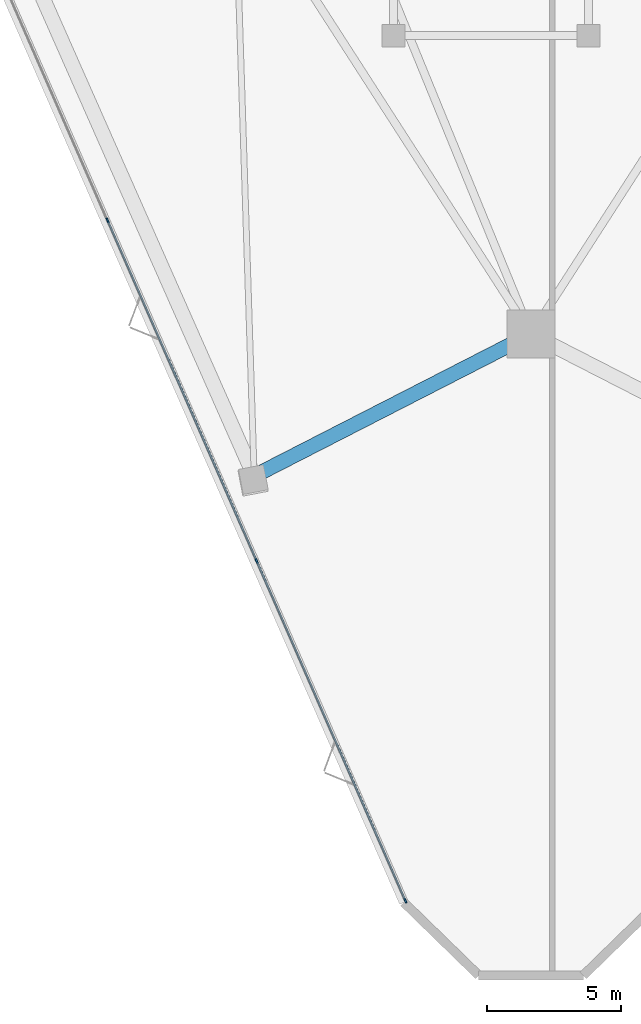
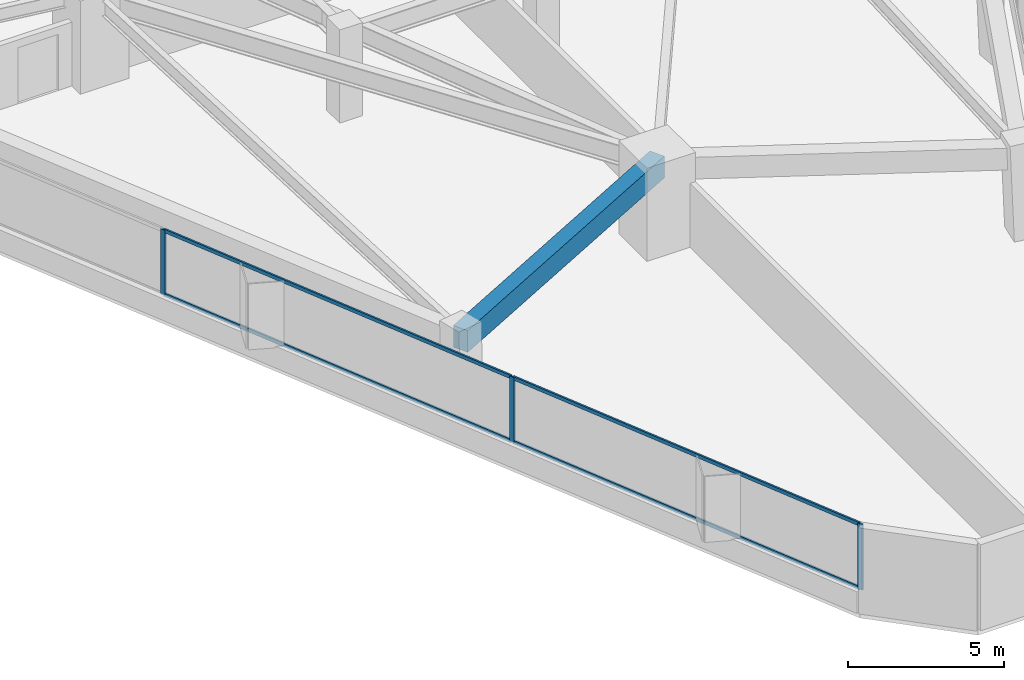
# One storey, part 2 of 20: 7 members, 1 beam, 1 element without a shape of its own.
"""IFC4 building model written with IfcOpenShell, lengths in metres."""

import ifcopenshell
import ifcopenshell.guid

model = None  # the IFC model being written
_history = None  # IfcOwnerHistory: only IFC2X3 demands one
_inside = {}  # id of a spatial element -> (the spatial element, [elements in it])
_under = {}  # id of a project, library or spatial element -> (it, [spatial elements below it])
_declared = {}  # id of a project -> (the project, [libraries it declares])
_typed = {}  # id of a type object -> (the type object, [elements of that type])
_made_of = {}  # id of a material, layer set ... -> (it, [elements and type objects made of it])


def new_model(schema):
    """Start an empty IFC model of exactly this schema.

    Asked for "IFC4X3", IfcOpenShell would pick the latest addendum, in which some entities
    have other attributes; the version numbers below select the first issue.
    IFC2X3 requires an IfcOwnerHistory on every rooted entity: one is made here for all.
    """
    global model, _history
    if schema == "IFC4X3":
        model = ifcopenshell.file(schema_version=(4, 3, 0, 0))
    else:
        model = ifcopenshell.file(schema=schema)
    _inside.clear()
    _under.clear()
    _declared.clear()
    _typed.clear()
    _made_of.clear()
    _history = None
    if model.schema == "IFC2X3":
        org = make("IfcOrganization", Name="unknown")
        user = make(
            "IfcPersonAndOrganization",
            ThePerson=make("IfcPerson", FamilyName="unknown"),
            TheOrganization=org,
        )
        app = make(
            "IfcApplication",
            ApplicationDeveloper=org,
            Version="unknown",
            ApplicationFullName="unknown",
            ApplicationIdentifier="unknown",
        )
        _history = make(
            "IfcOwnerHistory",
            OwningUser=user,
            OwningApplication=app,
            ChangeAction="ADDED",
            CreationDate=0,
        )
    return model


def make(cls, **values):
    """One entity of the class cls with the attributes given. An attribute that is None is left unset."""
    return model.create_entity(
        cls, **{name: value for name, value in values.items() if value is not None}
    )


def rooted(cls, **values):
    """An entity with a GlobalId (a new one), such as an element, a storey or a relation."""
    return make(cls, GlobalId=ifcopenshell.guid.new(), OwnerHistory=_history, **values)


def si_unit(unit_type, name, prefix=None):
    """IfcSIUnit, for example si_unit("LENGTHUNIT", "METRE", prefix="MILLI")."""
    return make("IfcSIUnit", UnitType=unit_type, Prefix=prefix, Name=name)


def assignment(units):
    """IfcUnitAssignment: the units of a project."""
    return None if units is None else make("IfcUnitAssignment", Units=units)


def point(xyz):
    """IfcCartesianPoint."""
    return None if xyz is None else make("IfcCartesianPoint", Coordinates=xyz)


def direction(xyz):
    """IfcDirection."""
    return None if xyz is None else make("IfcDirection", DirectionRatios=xyz)


def frame(location, z_axis=None, x_axis=None):
    """IfcAxis2Placement3D, a coordinate frame: its origin and axes. An axis left out is left unset."""
    return make(
        "IfcAxis2Placement3D",
        Location=point(location),
        Axis=direction(z_axis),
        RefDirection=direction(x_axis),
    )


def frame_2d(location, x_axis=None):
    """IfcAxis2Placement2D, a coordinate frame in the plane: its origin and x axis."""
    return make(
        "IfcAxis2Placement2D", Location=point(location), RefDirection=direction(x_axis)
    )


def origin():
    """The frame at (0, 0, 0) with its axes left unset."""
    return frame((0.0, 0.0, 0.0))


def origin_2d():
    """The frame at (0, 0) in the plane with its x axis left unset."""
    return frame_2d((0.0, 0.0))


def place(relative_to, where):
    """IfcLocalPlacement: puts the frame where relative to a parent placement (None: the world)."""
    return make(
        "IfcLocalPlacement", PlacementRelTo=relative_to, RelativePlacement=where
    )


def context(
    kind, dimensions, precision=None, world=None, true_north=None, identifier=None
):
    """IfcGeometricRepresentationContext, for example the 3D "Model" context."""
    return make(
        "IfcGeometricRepresentationContext",
        ContextIdentifier=identifier,
        ContextType=kind,
        CoordinateSpaceDimension=dimensions,
        Precision=precision,
        WorldCoordinateSystem=world,
        TrueNorth=true_north,
    )


def subcontext(parent, identifier, kind, view, scale=None):
    """IfcGeometricRepresentationSubContext, for example "Body" below "Model"."""
    return make(
        "IfcGeometricRepresentationSubContext",
        ContextIdentifier=identifier,
        ContextType=kind,
        ParentContext=parent,
        TargetScale=scale,
        TargetView=view,
    )


def project(units=None, contexts=None):
    """IfcProject with its units and contexts."""
    return rooted(
        "IfcProject",
        Name="project",
        RepresentationContexts=contexts,
        UnitsInContext=assignment(units),
    )


def spatial(cls, under=None, at=None, **own):
    """A site, building, storey or space (cls), placed at a placement, below another one or the project."""
    s = rooted(cls, ObjectPlacement=at, **own)
    if under is not None:
        _under.setdefault(under.id(), (under, []))[1].append(s)
    return s


def profile(cls, at=None, kind="AREA", **sizes):
    """A parametric profile (cls). Its sizes go by their IFC names, for example OverallWidth=200.0."""
    return make(cls, ProfileType=kind, Position=at, **sizes)


def rectangle(**sizes):
    """IfcRectangleProfileDef."""
    return profile("IfcRectangleProfileDef", **sizes)


def extrude(swept, where, along, depth):
    """IfcExtrudedAreaSolid: the profile swept, set in the frame where, extruded along a direction by depth."""
    return make(
        "IfcExtrudedAreaSolid",
        SweptArea=swept,
        Position=where,
        ExtrudedDirection=direction(along),
        Depth=depth,
    )


def shape(context_of_items, identifier, shape_type, items):
    """IfcShapeRepresentation: the items that make up one representation, for example the "Body"."""
    return make(
        "IfcShapeRepresentation",
        ContextOfItems=context_of_items,
        RepresentationIdentifier=identifier,
        RepresentationType=shape_type,
        Items=items,
    )


def material(Name=None, Category=None):
    """IfcMaterial."""
    return make("IfcMaterial", Name=Name, Category=Category)


def layer(
    of_material, thickness, ventilated=None, Name=None, Category=None, Priority=None
):
    """IfcMaterialLayer: one layer of a wall or slab, of a material (None: an air gap)."""
    return make(
        "IfcMaterialLayer",
        Material=of_material,
        LayerThickness=thickness,
        IsVentilated=ventilated,
        Name=Name,
        Category=Category,
        Priority=Priority,
    )


def layer_set(layers, Name=None):
    """IfcMaterialLayerSet."""
    return make("IfcMaterialLayerSet", MaterialLayers=layers, LayerSetName=Name)


def material_profile(
    of_material, cross_section, Name=None, Category=None, Priority=None
):
    """IfcMaterialProfile: a cross section and its material."""
    return make(
        "IfcMaterialProfile",
        Name=Name,
        Material=of_material,
        Profile=cross_section,
        Priority=Priority,
        Category=Category,
    )


def profile_set(profiles, Name=None, composite=None):
    """IfcMaterialProfileSet."""
    return make(
        "IfcMaterialProfileSet",
        Name=Name,
        MaterialProfiles=profiles,
        CompositeProfile=composite,
    )


def made_of(thing, what):
    """Note that an element or type object is made of a material, layer set ...; save() writes the relation."""
    if what is not None:
        _made_of.setdefault(what.id(), (what, []))[1].append(thing)
    return thing


def type_object(cls, material=None, **own):
    """A type object (cls), such as IfcWallType, which elements share."""
    return made_of(rooted(cls, **own), material)


def element(
    cls,
    number,
    at=None,
    inside=None,
    cuts=None,
    type_object=None,
    material=None,
    context=None,
    identifier="Body",
    shape_type=None,
    held_by="IfcProductDefinitionShape",
    body=None,
    shapes=None,
    **own,
):
    """One element of the class cls, such as IfcWall. Its Tag is "e" and its number.

    at: its placement. inside: the storey or other place that contains it. cuts: it is an
    opening in that element (IfcRelVoidsElement). A single representation is given by context,
    identifier, shape_type and body (its items); several are given by shapes. held_by: the class
    of the entity that holds the representations. save() writes the other relations.
    """
    e = rooted(cls, Tag="e%d" % number, ObjectPlacement=at, **own)
    if body is not None:
        shapes = [shape(context, identifier, shape_type, body)]
    if shapes is not None:
        e.Representation = make(held_by, Representations=shapes)
    if inside is not None:
        _inside.setdefault(inside.id(), (inside, []))[1].append(e)
    if cuts is not None:
        rooted(
            "IfcRelVoidsElement", RelatingBuildingElement=cuts, RelatedOpeningElement=e
        )
    if type_object is not None:
        _typed.setdefault(type_object.id(), (type_object, []))[1].append(e)
    return made_of(e, material)


def aggregate(whole, parts):
    """IfcRelAggregates: a whole, such as a stair, and the parts it consists of."""
    return rooted("IfcRelAggregates", RelatingObject=whole, RelatedObjects=parts)


def save(model, path):
    """Write the relations noted so far, then the file.

    IfcRelAggregates (storeys below a building ...), IfcRelContainedInSpatialStructure (elements
    in a storey), IfcRelDefinesByType, IfcRelAssociatesMaterial and IfcRelDeclares: one each for
    every whole, place, type object, material and project.
    """
    for whole, parts in _under.values():
        aggregate(whole, parts)
    for where, things in _inside.values():
        rooted(
            "IfcRelContainedInSpatialStructure",
            RelatedElements=things,
            RelatingStructure=where,
        )
    for kind, things in _typed.values():
        rooted("IfcRelDefinesByType", RelatedObjects=things, RelatingType=kind)
    for what, things in _made_of.values():
        rooted("IfcRelAssociatesMaterial", RelatedObjects=things, RelatingMaterial=what)
    for by, libraries in _declared.values():
        rooted("IfcRelDeclares", RelatingContext=by, RelatedDefinitions=libraries)
    model.write(path)


model = new_model("IFC4")

# Units and contexts
model_context = context("Model", 3, precision=1e-05, world=origin(), true_north=direction((0.0, 1.0)))
body_context = subcontext(model_context, "Body", "Model", "MODEL_VIEW")
ifc_project = project(units=[si_unit("LENGTHUNIT", "METRE"), si_unit("AREAUNIT", "SQUARE_METRE"), si_unit("VOLUMEUNIT", "CUBIC_METRE"), si_unit("PLANEANGLEUNIT", "RADIAN"), si_unit("MASSUNIT", "GRAM", prefix="KILO")], contexts=[model_context])

# Site, building, storey
site_placement = place(None, origin())
site = spatial("IfcSite", under=ifc_project, at=site_placement, CompositionType="ELEMENT")
building_placement = place(site_placement, origin())
building = spatial("IfcBuilding", under=site, at=building_placement, Name="Talyreon Biosciences Tower", CompositionType="ELEMENT")
storey_placement = place(building_placement, frame((0.0, 0.0, 59.300048828125)))
storey = spatial("IfcBuildingStorey", under=building, at=storey_placement, Name="L15", CompositionType="ELEMENT", Elevation=59.300048828125)

# Curtain wall, members
ifc_material_1 = material(Name="Thermally broken aluminium and low-E glazing", Category="aluminium")
ifc_layer = layer(ifc_material_1, 0.195068359375)
ifc_layer_set = layer_set([ifc_layer], Name="Thermally broken aluminium and low-E glazing")
curtain_wall_type = type_object("IfcCurtainWallType", Name="CurtainWall_Zone1WetLab", PredefinedType="NOTDEFINED", material=ifc_layer_set)
curtain_wall_placement = place(storey_placement, origin())
curtain_wall = element("IfcCurtainWall", 1, at=curtain_wall_placement, inside=storey, type_object=curtain_wall_type, Name="L15 Unitised Curtain Wall FCW-L15-00", PredefinedType="NOTDEFINED")
ifc_material_2 = material(Name="Anodised thermally broken aluminium", Category="aluminium")
ifc_material_profile_1 = material_profile(ifc_material_2, rectangle(XDim=0.06494140625, YDim=0.179931640625, at=origin_2d()), Name="ALUM MULLION 65x180")
ifc_profile_set_1 = profile_set([ifc_material_profile_1], Name="Anodised thermally broken aluminium")
member_type_1 = type_object("IfcMemberType", Name="CWMullion_65x180", PredefinedType="MULLION", material=ifc_profile_set_1)
member_1_placement = place(storey_placement, frame((61.296630859375, 20.452392578125, 0.81005859375), z_axis=(0.0, 0.0, 1.0), x_axis=(-0.916092182361, -0.400967721165, 0.0)))
member_1 = element("IfcMember", 2, at=member_1_placement, type_object=member_type_1, Name="CW2 mullion 1", PredefinedType="MULLION", context=body_context, shape_type="SweptSolid", body=[
    extrude(rectangle(XDim=0.06494140625, YDim=0.179931640625, at=origin_2d()), origin(), (0.0, 0.0, 1.0), 2.56494140625),
])
member_2_placement = place(storey_placement, frame((55.7265625, 33.17822265625, 0.81005859375), z_axis=(0.0, 0.0, 1.0), x_axis=(-0.916092182361, -0.400967721165, 0.0)))
member_2 = element("IfcMember", 3, at=member_2_placement, type_object=member_type_1, Name="CW2 mullion 2", PredefinedType="MULLION", context=body_context, shape_type="SweptSolid", body=[
    extrude(rectangle(XDim=0.06494140625, YDim=0.179931640625, at=origin_2d()), origin(), (0.0, 0.0, 1.0), 2.56494140625),
])
member_3_placement = place(storey_placement, frame((50.1435546875, 45.933837890625, 0.81005859375), z_axis=(0.0, 0.0, 1.0), x_axis=(-0.916092182361, -0.400967721165, 0.0)))
member_3 = element("IfcMember", 4, at=member_3_placement, type_object=member_type_1, Name="CW2 mullion 3", PredefinedType="MULLION", context=body_context, shape_type="SweptSolid", body=[
    extrude(rectangle(XDim=0.06494140625, YDim=0.179931640625, at=origin_2d()), origin(), (0.0, 0.0, 1.0), 2.56494140625),
])
ifc_material_profile_2 = material_profile(ifc_material_2, rectangle(XDim=0.06494140625, YDim=0.139892578125, at=origin_2d()), Name="ALUM TRANSOM 65x140")
ifc_profile_set_2 = profile_set([ifc_material_profile_2], Name="Anodised thermally broken aluminium")
member_type_2 = type_object("IfcMemberType", Name="CWTransom_65x140", PredefinedType="USERDEFINED", material=ifc_profile_set_2)
member_4_placement = place(storey_placement, frame((61.283447265625, 20.48193359375, 0.842529296875), z_axis=(-0.400961476813, 0.916094915449, 0.0), x_axis=(-0.916094915449, -0.400961476813, 0.0)))
member_4 = element("IfcMember", 5, at=member_4_placement, type_object=member_type_2, Name="CW2 transom 1.1", ObjectType="TRANSOM", PredefinedType="USERDEFINED", context=body_context, shape_type="SweptSolid", body=[
    extrude(rectangle(XDim=0.06494140625, YDim=0.139892578125, at=origin_2d()), origin(), (0.0, 0.0, 1.0), 13.82666015625),
])
member_5_placement = place(storey_placement, frame((61.283447265625, 20.48193359375, 3.342529296875), z_axis=(-0.400961476813, 0.916094915449, 0.0), x_axis=(-0.916094915449, -0.400961476813, 0.0)))
member_5 = element("IfcMember", 6, at=member_5_placement, type_object=member_type_2, Name="CW2 transom 1.2", ObjectType="TRANSOM", PredefinedType="USERDEFINED", context=body_context, shape_type="SweptSolid", body=[
    extrude(rectangle(XDim=0.06494140625, YDim=0.139892578125, at=origin_2d()), origin(), (0.0, 0.0, 1.0), 13.82666015625),
])
member_6_placement = place(storey_placement, frame((55.71337890625, 33.2080078125, 0.842529296875), z_axis=(-0.400962068949, 0.916094656279, 0.0), x_axis=(-0.916094656279, -0.400962068949, 0.0)))
member_6 = element("IfcMember", 7, at=member_6_placement, type_object=member_type_2, Name="CW2 transom 2.1", ObjectType="TRANSOM", PredefinedType="USERDEFINED", context=body_context, shape_type="SweptSolid", body=[
    extrude(rectangle(XDim=0.06494140625, YDim=0.139892578125, at=origin_2d()), origin(), (0.0, 0.0, 1.0), 13.85888671875),
])
member_7_placement = place(storey_placement, frame((55.71337890625, 33.2080078125, 3.342529296875), z_axis=(-0.400962068949, 0.916094656279, 0.0), x_axis=(-0.916094656279, -0.400962068949, 0.0)))
member_7 = element("IfcMember", 8, at=member_7_placement, type_object=member_type_2, Name="CW2 transom 2.2", ObjectType="TRANSOM", PredefinedType="USERDEFINED", context=body_context, shape_type="SweptSolid", body=[
    extrude(rectangle(XDim=0.06494140625, YDim=0.139892578125, at=origin_2d()), origin(), (0.0, 0.0, 1.0), 13.85888671875),
])
aggregate(curtain_wall, [member_1, member_2, member_3, member_4, member_5, member_6, member_7])

# Beam
ifc_material_3 = material(Name="Precast concrete C45/55", Category="concrete")
ifc_material_profile_3 = material_profile(ifc_material_3, rectangle(XDim=0.550048828125, YDim=0.85009765625, at=origin_2d()), Name="RCB 550x850")
ifc_profile_set_3 = profile_set([ifc_material_profile_3], Name="Precast concrete C45/55")
beam_type = type_object("IfcBeamType", Name="ExpressedSpandrel_550x850", PredefinedType="SPANDREL", material=ifc_profile_set_3)
beam_placement = place(storey_placement, frame((55.63525390625, 36.357177734375, 2.949951171875), z_axis=(0.890007055334, 0.455946752873, 0.0), x_axis=(-0.455946752873, 0.890007055334, 0.0)))
element("IfcBeam", 9, at=beam_placement, inside=storey, type_object=beam_type, Name="L15 Expressed Horizontal Concrete Spandrel 12", PredefinedType="SPANDREL", context=body_context, shape_type="SweptSolid", body=[
    extrude(rectangle(XDim=0.550048828125, YDim=0.85009765625, at=origin_2d()), origin(), (0.0, 0.0, 1.0), 11.645751953125),
])

save(model, "model.ifc")
